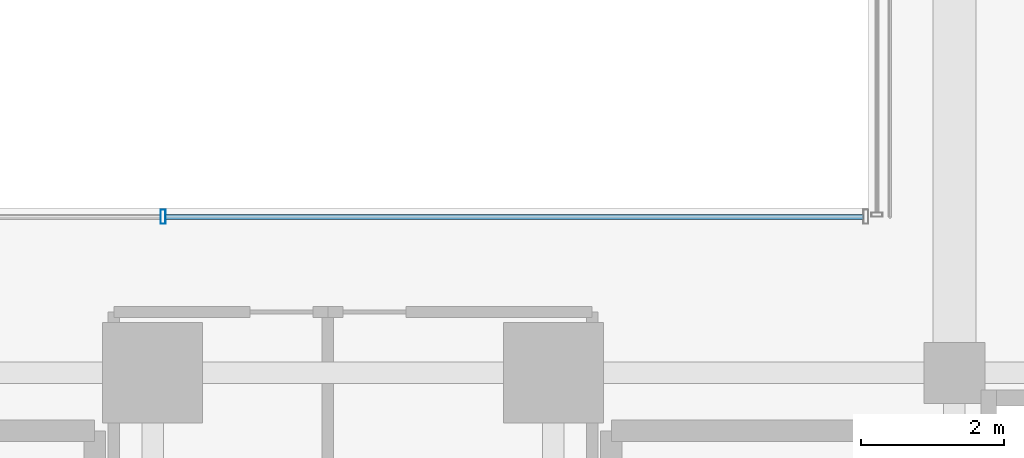
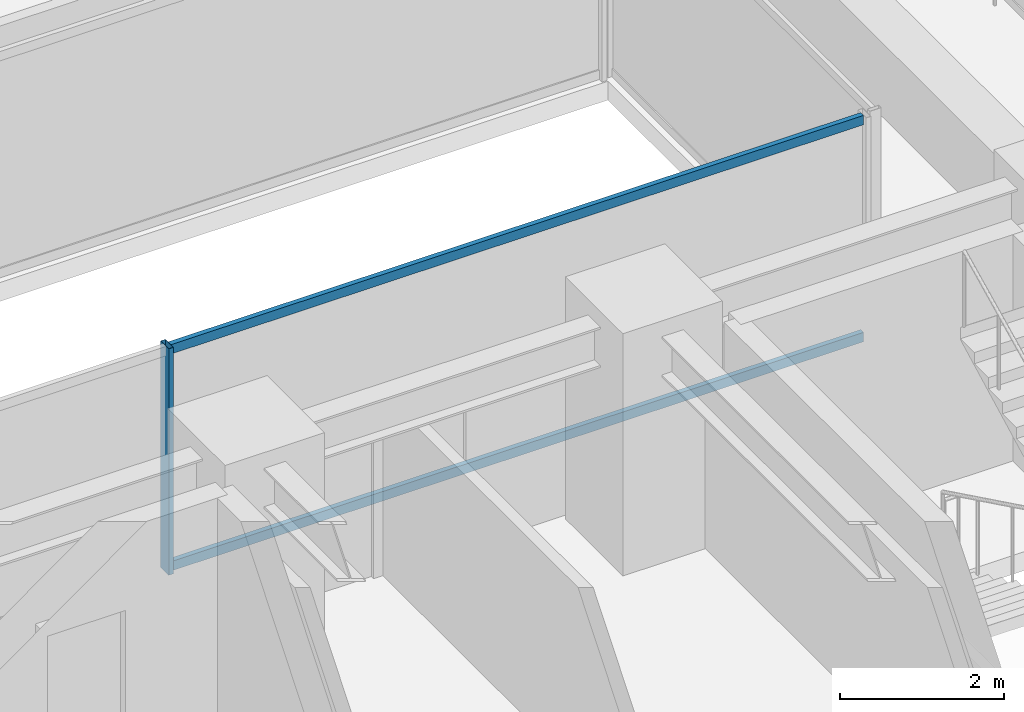
# One storey, part 11 of 43: 3 members, 1 element without a shape of its own.
"""IFC4 building model written with IfcOpenShell, lengths in metres."""

from ifc_helpers import new_model, si_unit, direction, frame, origin, origin_2d, place, context, subcontext, project, spatial, hollow_rectangle, extrude, source, transform, mapped, material, material_profile, profile_set, type_object, element, aggregate, save


model = new_model("IFC4")

# Units and contexts
model_context = context("Model", 3, precision=1e-05, world=origin(), true_north=direction((0.0, 1.0)))
body_context = subcontext(model_context, "Body", "Model", "MODEL_VIEW")
ifc_project = project(units=[si_unit("LENGTHUNIT", "METRE"), si_unit("AREAUNIT", "SQUARE_METRE"), si_unit("VOLUMEUNIT", "CUBIC_METRE"), si_unit("PLANEANGLEUNIT", "RADIAN"), si_unit("MASSUNIT", "GRAM", prefix="KILO")], contexts=[model_context])

# Site, building, storey
site_placement = place(None, origin())
site = spatial("IfcSite", under=ifc_project, at=site_placement, CompositionType="ELEMENT")
building_placement = place(site_placement, origin())
building = spatial("IfcBuilding", under=site, at=building_placement, Name="Nahalor Promenade Grand Hotel", CompositionType="ELEMENT")
storey_placement = place(building_placement, frame((0.0, 0.0, 57.949951171875)))
storey = spatial("IfcBuildingStorey", under=building, at=storey_placement, Name="L13", CompositionType="ELEMENT", Elevation=57.949951171875)

# Curtain wall, members
ifc_material = material(Name="Anodised Bronze Aluminium EN AW-6063 T6", Category="aluminium")
curtain_wall_type = type_object("IfcCurtainWallType", Name="CW3 Elliptical-Void Collar Unitised Curtain Wall", PredefinedType="USERDEFINED", material=ifc_material)
curtain_wall_placement = place(storey_placement, origin())
curtain_wall = element("IfcCurtainWall", 1, at=curtain_wall_placement, inside=storey, type_object=curtain_wall_type, Name="L13 Curtain Wall CW-L13-VOID-WS1", ObjectType="UNITISED_CURTAIN_WALL", PredefinedType="USERDEFINED")
ifc_material_profile_1 = material_profile(ifc_material, hollow_rectangle(XDim=0.07, YDim=0.14, WallThickness=0.004, at=origin_2d()), Name="CWT 70x140x4")
ifc_profile_set_1 = profile_set([ifc_material_profile_1], Name="Anodised Bronze Aluminium EN AW-6063 T6")
member_type_1 = type_object("IfcMemberType", Name="CWT3 Void Collar Transom 70x140", PredefinedType="USERDEFINED", material=ifc_profile_set_1)
shared_shape_1 = source(origin(), body_context, "Body", "SweptSolid", [
    extrude(hollow_rectangle(XDim=0.07, YDim=0.14, WallThickness=0.004, at=origin_2d()), origin(), (0.0, 0.0, 1.0), 9.748291015625),
])
member_1_placement = place(storey_placement, frame((-2.618408203125, -3.219970703125, 0.070068359375), z_axis=(1.0, 0.0, 0.0), x_axis=(0.0, 1.0, 0.0)))
member_1 = element("IfcMember", 2, at=member_1_placement, type_object=member_type_1, Name="CW-L13-VOID-WS1 Transom 2-0", ObjectType="TRANSOM", PredefinedType="USERDEFINED", context=body_context, shape_type="MappedRepresentation", body=[
    mapped(shared_shape_1, transform((0.0, 0.0, 0.0), scale=1.0)),
])
member_2_placement = place(storey_placement, frame((-2.618408203125, -3.219970703125, 3.300048828125), z_axis=(1.0, 0.0, 0.0), x_axis=(0.0, 1.0, 0.0)))
member_2 = element("IfcMember", 3, at=member_2_placement, type_object=member_type_1, Name="CW-L13-VOID-WS1 Transom 2-1", ObjectType="TRANSOM", PredefinedType="USERDEFINED", context=body_context, shape_type="MappedRepresentation", body=[
    mapped(shared_shape_1, transform((0.0, 0.0, 0.0), scale=1.0)),
])
ifc_material_profile_2 = material_profile(ifc_material, hollow_rectangle(XDim=0.07, YDim=0.2, WallThickness=0.005, at=origin_2d()), Name="CWM 70x200x5")
ifc_profile_set_2 = profile_set([ifc_material_profile_2], Name="Anodised Bronze Aluminium EN AW-6063 T6")
member_type_2 = type_object("IfcMemberType", Name="CWM3 Void Collar Mullion 70x200", PredefinedType="MULLION", material=ifc_profile_set_2)
shared_shape_2 = source(origin(), body_context, "Body", "SweptSolid", [
    extrude(hollow_rectangle(XDim=0.07, YDim=0.2, WallThickness=0.005, at=origin_2d()), origin(), (0.0, 0.0, 1.0), 3.3701171875),
])
member_3_placement = place(storey_placement, frame((-2.6533203125, -3.219970703125, 0.0), z_axis=(0.0, 0.0, 1.0), x_axis=(1.0, 0.0, 0.0)))
member_3 = element("IfcMember", 4, at=member_3_placement, type_object=member_type_2, Name="CW-L13-VOID-WS1 Mullion 2", PredefinedType="MULLION", context=body_context, shape_type="MappedRepresentation", body=[
    mapped(shared_shape_2, transform((0.0, 0.0, 0.0), scale=1.0)),
])
aggregate(curtain_wall, [member_3, member_1, member_2])

save(model, "model.ifc")
